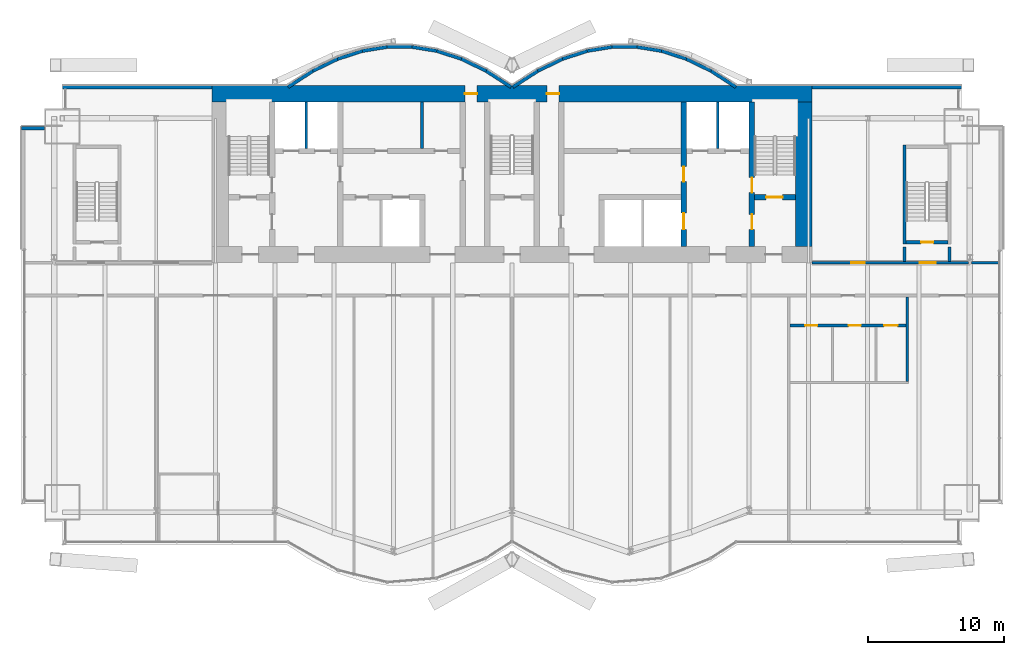
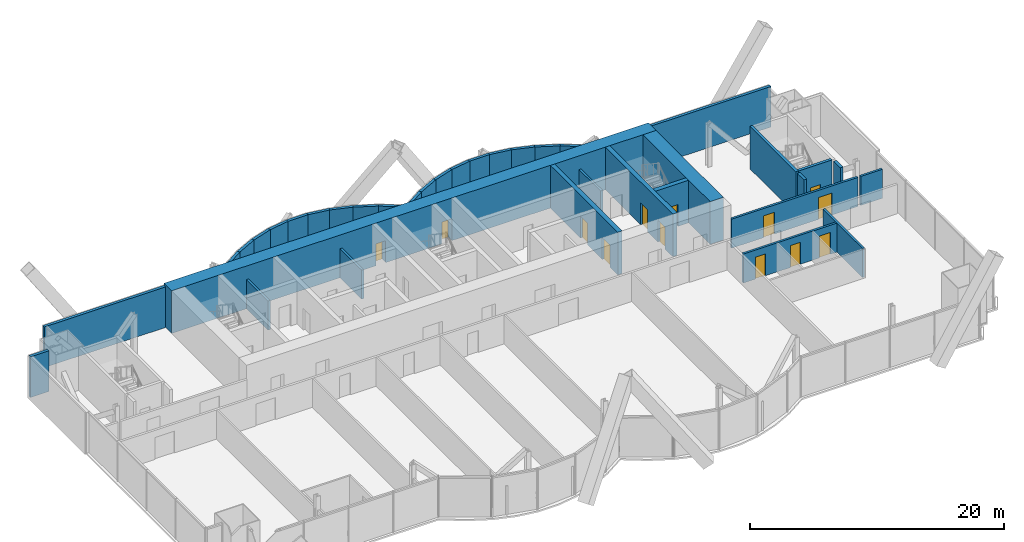
# One storey, part 17 of 21: 37 walls, 13 doors, 13 openings.
"""IFC4 building model written with IfcOpenShell, lengths in metres."""

from ifc_helpers import new_model, si_unit, direction, frame, frame_2d, origin, place, context, subcontext, project, spatial, rectangle, extrude, material, layer, layer_set, layer_usage, type_object, element, fill, save


model = new_model("IFC4")

# Units and contexts
model_context = context("Model", 3, precision=1e-05, world=origin(), true_north=direction((0.0, 1.0)))
body_context = subcontext(model_context, "Body", "Model", "MODEL_VIEW")
ifc_project = project(units=[si_unit("LENGTHUNIT", "METRE"), si_unit("AREAUNIT", "SQUARE_METRE"), si_unit("VOLUMEUNIT", "CUBIC_METRE"), si_unit("PLANEANGLEUNIT", "RADIAN"), si_unit("MASSUNIT", "GRAM", prefix="KILO")], contexts=[model_context])

# Site, building, storey
site_placement = place(None, origin())
site = spatial("IfcSite", under=ifc_project, at=site_placement, CompositionType="ELEMENT")
building_placement = place(site_placement, origin())
building = spatial("IfcBuilding", under=site, at=building_placement, Name="Bicima Exchange Tower", CompositionType="ELEMENT")
storey_placement = place(building_placement, frame((0.0, 0.0, 181.39990234375)))
storey = spatial("IfcBuildingStorey", under=building, at=storey_placement, Name="L40", CompositionType="ELEMENT", Elevation=181.39990234375)

# Walls
ifc_material_1 = material(Name="Gypsum board partition")
ifc_layer_1 = layer(ifc_material_1, 0.199951171875)
ifc_layer_set_1 = layer_set([ifc_layer_1], Name="Gypsum board partition")
wall_type_1 = type_object("IfcWallType", Name="Fire-rated gypsum partition 200 EI120", PredefinedType="PARTITIONING", material=ifc_layer_set_1)
for number, where, z_axis, x_axis, name in (
    (1, (-15.10009765625, -4.60009765625, 0.0), (0.0, 0.0, 1.0), (0.0, 1.0, 0.0), "partition wall 9"),
    (2, (15.10009765625, -4.60009765625, 0.0), (0.0, 0.0, 1.0), (0.0, 1.0, 0.0), "partition wall 21"),
):
    element("IfcWall", number, at=place(storey_placement, frame(where, z_axis=z_axis, x_axis=x_axis)), inside=storey, type_object=wall_type_1, Name=name, PredefinedType="PARTITIONING", context=body_context, shape_type="SweptSolid", body=[
        extrude(rectangle(XDim=3.400146484375, YDim=0.199951171875, at=frame_2d((1.7001953125, 0.0))), origin(), (0.0, 0.0, 1.0), 2.790283203125),
    ])

# Wall, openings, doors
ifc_layer_2 = layer(ifc_material_1, 0.199951171875)
ifc_layer_set_2 = layer_set([ifc_layer_2], Name="Gypsum board partition")
wall_type_2 = type_object("IfcWallType", Name="Fire-rated gypsum partition 200 EI60", PredefinedType="PARTITIONING", material=ifc_layer_set_2)
wall_1_placement = place(storey_placement, frame((20.39990234375, -17.60009765625, 0.0), z_axis=(0.0, 0.0, 1.0), x_axis=(1.0, 0.0, 0.0)))
wall_1 = element("IfcWall", 3, at=wall_1_placement, inside=storey, type_object=wall_type_2, Name="partition wall 3", PredefinedType="PARTITIONING", context=body_context, shape_type="SweptSolid", body=[
    extrude(rectangle(XDim=8.5, YDim=0.199951171875, at=frame_2d((4.25, 0.0))), origin(), (0.0, 0.0, 1.0), 2.790283203125),
])
opening_1_placement = place(wall_1_placement, frame((1.10009765625, 0.0, 0.0)))
opening_1 = element("IfcOpeningElement", 4, at=opening_1_placement, cuts=wall_1, Name="Opening L40-015", PredefinedType="OPENING", context=body_context, shape_type="SweptSolid", body=[
    extrude(rectangle(XDim=0.89990234375, YDim=2.10009765625, at=frame_2d((0.449951171875, 1.050048828125))), frame((0.0, 0.11181640625, 0.0), z_axis=(0.0, -1.0, 0.0), x_axis=(1.0, 0.0, 0.0)), (0.0, 0.0, 1.0), 0.223876953125),
])
opening_2_placement = place(wall_1_placement, frame((4.300048828125, 0.0, 0.0)))
opening_2 = element("IfcOpeningElement", 5, at=opening_2_placement, cuts=wall_1, Name="Opening L40-016", PredefinedType="OPENING", context=body_context, shape_type="SweptSolid", body=[
    extrude(rectangle(XDim=0.89990234375, YDim=2.10009765625, at=frame_2d((0.449951171875, 1.050048828125))), frame((0.0, 0.11181640625, 0.0), z_axis=(0.0, -1.0, 0.0), x_axis=(1.0, 0.0, 0.0)), (0.0, 0.0, 1.0), 0.223876953125),
])
opening_3_placement = place(wall_1_placement, frame((6.89990234375, 0.0, 0.0)))
opening_3 = element("IfcOpeningElement", 6, at=opening_3_placement, cuts=wall_1, Name="Opening L40-017", PredefinedType="OPENING", context=body_context, shape_type="SweptSolid", body=[
    extrude(rectangle(XDim=1.0, YDim=2.10009765625, at=frame_2d((0.5, 1.050048828125))), frame((0.0, 0.11181640625, 0.0), z_axis=(0.0, -1.0, 0.0), x_axis=(1.0, 0.0, 0.0)), (0.0, 0.0, 1.0), 0.223876953125),
])
ifc_material_2 = material(Name="Steel fire door leaf", Category="steel")
door_type_1 = type_object("IfcDoorType", Name="Door 1000 swing FD30S", OperationType="SINGLE_SWING_LEFT", PredefinedType="DOOR", material=ifc_material_2)
door_1_placement = place(opening_3_placement, frame((1.0, 0.0, 0.0), z_axis=(0.0, 0.0, 1.0), x_axis=(-1.0, 0.0, 0.0)))
door_1 = element("IfcDoor", 7, at=door_1_placement, inside=storey, type_object=door_type_1, Name="Door", OperationType="SINGLE_SWING_RIGHT", OverallHeight=2.10009765625, OverallWidth=1.0, PredefinedType="DOOR", context=body_context, shape_type="SweptSolid", body=[
    extrude(rectangle(XDim=1.0, YDim=2.10009765625, at=frame_2d((0.5, 1.050048828125))), frame((0.0, 0.02490234375, 0.0), z_axis=(0.0, -1.0, 0.0), x_axis=(1.0, 0.0, 0.0)), (0.0, 0.0, 1.0), 0.050048828125),
])
fill(opening_3, door_1)
door_type_2 = type_object("IfcDoorType", Name="Door 900 swing FD30S", OperationType="SINGLE_SWING_LEFT", PredefinedType="DOOR", material=ifc_material_2)
door_2_placement = place(opening_1_placement, frame((0.89990234375, 0.0, 0.0), z_axis=(0.0, 0.0, 1.0), x_axis=(-1.0, 0.0, 0.0)))
door_2 = element("IfcDoor", 8, at=door_2_placement, inside=storey, type_object=door_type_2, Name="Door", OperationType="SINGLE_SWING_RIGHT", OverallHeight=2.10009765625, OverallWidth=0.89990234375, PredefinedType="DOOR", context=body_context, shape_type="SweptSolid", body=[
    extrude(rectangle(XDim=0.89990234375, YDim=2.10009765625, at=frame_2d((0.449951171875, 1.050048828125))), frame((0.0, 0.02490234375, 0.0), z_axis=(0.0, -1.0, 0.0), x_axis=(1.0, 0.0, 0.0)), (0.0, 0.0, 1.0), 0.050048828125),
])
fill(opening_1, door_2)
door_3_placement = place(opening_2_placement, frame((0.89990234375, 0.0, 0.0), z_axis=(0.0, 0.0, 1.0), x_axis=(-1.0, 0.0, 0.0)))
door_3 = element("IfcDoor", 9, at=door_3_placement, inside=storey, type_object=door_type_2, Name="Door", OperationType="SINGLE_SWING_LEFT", OverallHeight=2.10009765625, OverallWidth=0.89990234375, PredefinedType="DOOR", context=body_context, shape_type="SweptSolid", body=[
    extrude(rectangle(XDim=0.89990234375, YDim=2.10009765625, at=frame_2d((0.449951171875, 1.050048828125))), frame((0.0, 0.02490234375, 0.0), z_axis=(0.0, -1.0, 0.0), x_axis=(1.0, 0.0, 0.0)), (0.0, 0.0, 1.0), 0.050048828125),
])
fill(opening_2, door_3)

wall_2_placement = place(storey_placement, frame((22.0, -13.0, 0.0), z_axis=(0.0, 0.0, 1.0), x_axis=(1.0, 0.0, 0.0)))
wall_2 = element("IfcWall", 10, at=wall_2_placement, inside=storey, type_object=wall_type_2, Name="partition wall 7", PredefinedType="PARTITIONING", context=body_context, shape_type="SweptSolid", body=[
    extrude(rectangle(XDim=11.47998046875, YDim=0.199951171875, at=frame_2d((5.739990234375, 0.0))), origin(), (0.0, 0.0, 1.0), 2.790283203125),
])
opening_4_placement = place(wall_2_placement, frame((7.89990234375, 0.0, 0.0)))
opening_4 = element("IfcOpeningElement", 11, at=opening_4_placement, cuts=wall_2, Name="Opening L40-003", PredefinedType="OPENING", context=body_context, shape_type="SweptSolid", body=[
    extrude(rectangle(XDim=1.199951171875, YDim=2.10009765625, at=frame_2d((0.60009765625, 1.050048828125))), frame((0.0, 0.11181640625, 0.0), z_axis=(0.0, -1.0, 0.0), x_axis=(1.0, 0.0, 0.0)), (0.0, 0.0, 1.0), 0.223876953125),
])
opening_5_placement = place(wall_2_placement, frame((2.89990234375, 0.0, 0.0)))
opening_5 = element("IfcOpeningElement", 12, at=opening_5_placement, cuts=wall_2, Name="Opening L40-006", PredefinedType="OPENING", context=body_context, shape_type="SweptSolid", body=[
    extrude(rectangle(XDim=1.0, YDim=2.10009765625, at=frame_2d((0.5, 1.050048828125))), frame((0.0, 0.11181640625, 0.0), z_axis=(0.0, -1.0, 0.0), x_axis=(1.0, 0.0, 0.0)), (0.0, 0.0, 1.0), 0.223876953125),
])
door_4_placement = place(opening_5_placement, origin())
door_4 = element("IfcDoor", 13, at=door_4_placement, inside=storey, type_object=door_type_1, Name="Door", OperationType="SINGLE_SWING_RIGHT", OverallHeight=2.10009765625, OverallWidth=1.0, PredefinedType="DOOR", context=body_context, shape_type="SweptSolid", body=[
    extrude(rectangle(XDim=1.0, YDim=2.10009765625, at=frame_2d((0.5, 1.050048828125))), frame((0.0, 0.02490234375, 0.0), z_axis=(0.0, -1.0, 0.0), x_axis=(1.0, 0.0, 0.0)), (0.0, 0.0, 1.0), 0.050048828125),
])
fill(opening_5, door_4)
door_type_3 = type_object("IfcDoorType", Name="Door 1200 swing FD30S", OperationType="SINGLE_SWING_LEFT", PredefinedType="DOOR", material=ifc_material_2)
door_5_placement = place(opening_4_placement, origin())
door_5 = element("IfcDoor", 14, at=door_5_placement, inside=storey, type_object=door_type_3, Name="Door", OperationType="SINGLE_SWING_RIGHT", OverallHeight=2.10009765625, OverallWidth=1.199951171875, PredefinedType="DOOR", context=body_context, shape_type="SweptSolid", body=[
    extrude(rectangle(XDim=1.199951171875, YDim=2.10009765625, at=frame_2d((0.60009765625, 1.050048828125))), frame((0.0, 0.02490234375, 0.0), z_axis=(0.0, -1.0, 0.0), x_axis=(1.0, 0.0, 0.0)), (0.0, 0.0, 1.0), 0.050048828125),
])
fill(opening_4, door_5)

# Walls
wall_3_placement = place(storey_placement, frame((33.719970703125, -13.0, 0.0), z_axis=(0.0, 0.0, 1.0), x_axis=(1.0, 0.0, 0.0)))
element("IfcWall", 15, at=wall_3_placement, inside=storey, type_object=wall_type_2, Name="partition wall 8", PredefinedType="PARTITIONING", context=body_context, shape_type="SweptSolid", body=[
    extrude(rectangle(XDim=1.9599609375, YDim=0.199951171875, at=frame_2d((0.97998046875, 0.0))), origin(), (0.0, 0.0, 1.0), 2.790283203125),
])
wall_4_placement = place(storey_placement, frame((29.0, -21.72509765625, 0.0), z_axis=(0.0, 0.0, 1.0), x_axis=(0.0, 1.0, 0.0)))
element("IfcWall", 16, at=wall_4_placement, inside=storey, type_object=wall_type_2, Name="partition wall 30", PredefinedType="PARTITIONING", context=body_context, shape_type="SweptSolid", body=[
    extrude(rectangle(XDim=6.22509765625, YDim=0.199951171875, at=frame_2d((3.112548828125, 0.0))), origin(), (0.0, 0.0, 1.0), 2.790283203125),
])
wall_5_placement = place(storey_placement, frame((-6.60009765625, -4.60009765625, 0.0), z_axis=(0.0, 0.0, 1.0), x_axis=(0.0, 1.0, 0.0)))
element("IfcWall", 17, at=wall_5_placement, inside=storey, type_object=wall_type_2, Name="partition wall 13", PredefinedType="PARTITIONING", context=body_context, shape_type="SweptSolid", body=[
    extrude(rectangle(XDim=3.400146484375, YDim=0.199951171875, at=frame_2d((1.7001953125, 0.0))), origin(), (0.0, 0.0, 1.0), 2.790283203125),
])

# Wall, openings, doors
ifc_material_3 = material(Name="Concrete C50/60", Category="concrete")
ifc_layer_3 = layer(ifc_material_3, 1.199951171875)
ifc_layer_set_3 = layer_set([ifc_layer_3], Name="Concrete C50/60")
wall_type_3 = type_object("IfcWallType", Name="RC core wall 1200 C50/60", PredefinedType="SHEAR", material=ifc_layer_set_3)
wall_6_placement = place(storey_placement, frame((-22.0, -0.60009765625, 0.0), z_axis=(0.0, 0.0, 1.0), x_axis=(1.0, 0.0, 0.0)))
wall_6 = element("IfcWall", 18, at=wall_6_placement, inside=storey, type_object=wall_type_3, Name="Core wall north", PredefinedType="SHEAR", context=body_context, shape_type="SweptSolid", body=[
    extrude(rectangle(XDim=44.0, YDim=1.199951171875, at=frame_2d((22.0, 0.0))), origin(), (0.0, 0.0, 1.0), 4.10009765625),
])
opening_6_placement = place(wall_6_placement, frame((18.550048828125, 0.0, 0.0)))
opening_6 = element("IfcOpeningElement", 19, at=opening_6_placement, cuts=wall_6, Name="Opening L40-C16", PredefinedType="OPENING", context=body_context, shape_type="SweptSolid", body=[
    extrude(rectangle(XDim=0.89990234375, YDim=2.10009765625, at=frame_2d((0.449951171875, 1.050048828125))), frame((0.0, 0.61181640625, 0.0), z_axis=(0.0, -1.0, 0.0), x_axis=(1.0, 0.0, 0.0)), (0.0, 0.0, 1.0), 1.223876953125),
])
opening_7_placement = place(wall_6_placement, frame((24.550048828125, 0.0, 0.0)))
opening_7 = element("IfcOpeningElement", 20, at=opening_7_placement, cuts=wall_6, Name="Opening L40-C17", PredefinedType="OPENING", context=body_context, shape_type="SweptSolid", body=[
    extrude(rectangle(XDim=0.89990234375, YDim=2.10009765625, at=frame_2d((0.449951171875, 1.050048828125))), frame((0.0, 0.61181640625, 0.0), z_axis=(0.0, -1.0, 0.0), x_axis=(1.0, 0.0, 0.0)), (0.0, 0.0, 1.0), 1.223876953125),
])
door_6_placement = place(opening_6_placement, origin())
door_6 = element("IfcDoor", 21, at=door_6_placement, inside=storey, type_object=door_type_2, Name="Core door", OperationType="SINGLE_SWING_LEFT", OverallHeight=2.10009765625, OverallWidth=0.89990234375, PredefinedType="DOOR", context=body_context, shape_type="SweptSolid", body=[
    extrude(rectangle(XDim=0.89990234375, YDim=2.10009765625, at=frame_2d((0.449951171875, 1.050048828125))), frame((0.0, 0.02490234375, 0.0), z_axis=(0.0, -1.0, 0.0), x_axis=(1.0, 0.0, 0.0)), (0.0, 0.0, 1.0), 0.050048828125),
])
fill(opening_6, door_6)
door_7_placement = place(opening_7_placement, origin())
door_7 = element("IfcDoor", 22, at=door_7_placement, inside=storey, type_object=door_type_2, Name="Core door", OperationType="SINGLE_SWING_LEFT", OverallHeight=2.10009765625, OverallWidth=0.89990234375, PredefinedType="DOOR", context=body_context, shape_type="SweptSolid", body=[
    extrude(rectangle(XDim=0.89990234375, YDim=2.10009765625, at=frame_2d((0.449951171875, 1.050048828125))), frame((0.0, 0.02490234375, 0.0), z_axis=(0.0, -1.0, 0.0), x_axis=(1.0, 0.0, 0.0)), (0.0, 0.0, 1.0), 0.050048828125),
])
fill(opening_7, door_7)

# Walls
wall_7_placement = place(storey_placement, frame((21.39990234375, -11.800048828125, 0.0), z_axis=(0.0, 0.0, 1.0), x_axis=(0.0, 1.0, 0.0)))
element("IfcWall", 23, at=wall_7_placement, inside=storey, type_object=wall_type_3, Name="Core wall east", PredefinedType="SHEAR", context=body_context, shape_type="SweptSolid", body=[
    extrude(rectangle(XDim=10.60009765625, YDim=1.199951171875, at=frame_2d((5.300048828125, 0.0))), origin(), (0.0, 0.0, 1.0), 4.10009765625),
])
ifc_layer_4 = layer(ifc_material_3, 0.25)
ifc_layer_set_4 = layer_set([ifc_layer_4], Name="Concrete C50/60")
wall_type_4 = type_object("IfcWallType", Name="RC core wall 250 C50/60", PredefinedType="SHEAR", material=ifc_layer_set_4)
for number, where, z_axis, x_axis, name in (
    (24, (28.800048828125, -12.89990234375, 0.0), (0.0, 0.0, 1.0), (0.0, 1.0, 0.0), "stair wall 29"),
    (25, (32.10009765625, -12.89990234375, 0.0), (0.0, 0.0, 1.0), (0.0, 1.0, 0.0), "stair wall 31"),
):
    element("IfcWall", number, at=place(storey_placement, frame(where, z_axis=z_axis, x_axis=x_axis)), inside=storey, type_object=wall_type_4, Name=name, PredefinedType="SHEAR", context=body_context, shape_type="SweptSolid", body=[
        extrude(rectangle(XDim=1.0498046875, YDim=0.25, at=frame_2d((0.52490234375, 0.0))), origin(), (0.0, 0.0, 1.0), 4.10009765625),
    ])

# Wall, opening, door
ifc_layer_5 = layer(ifc_material_3, 0.39990234375)
ifc_layer_set_5 = layer_set([ifc_layer_5], Name="Concrete C50/60")
wall_type_5 = type_object("IfcWallType", Name="RC core wall 400 C50/60", PredefinedType="SHEAR", material=ifc_layer_set_5)
wall_8_placement = place(storey_placement, frame((17.800048828125, -8.199951171875, 0.0), z_axis=(0.0, 0.0, 1.0), x_axis=(1.0, 0.0, 0.0)))
wall_8 = element("IfcWall", 26, at=wall_8_placement, inside=storey, type_object=wall_type_5, Name="stair wall 5", PredefinedType="SHEAR", context=body_context, shape_type="SweptSolid", body=[
    extrude(rectangle(XDim=3.0, YDim=0.39990234375, at=frame_2d((1.5, 0.0))), origin(), (0.0, 0.0, 1.0), 4.10009765625),
])
opening_8_placement = place(wall_8_placement, frame((0.85009765625, 0.0, 0.0)))
opening_8 = element("IfcOpeningElement", 27, at=opening_8_placement, cuts=wall_8, Name="Opening L40-C04", PredefinedType="OPENING", context=body_context, shape_type="SweptSolid", body=[
    extrude(rectangle(XDim=1.199951171875, YDim=2.10009765625, at=frame_2d((0.60009765625, 1.050048828125))), frame((0.0, 0.2119140625, 0.0), z_axis=(0.0, -1.0, 0.0), x_axis=(1.0, 0.0, 0.0)), (0.0, 0.0, 1.0), 0.423828125),
])
door_type_4 = type_object("IfcDoorType", Name="Door 1200 swing FD60S", OperationType="SINGLE_SWING_LEFT", PredefinedType="DOOR", material=ifc_material_2)
door_8_placement = place(opening_8_placement, origin())
door_8 = element("IfcDoor", 28, at=door_8_placement, inside=storey, type_object=door_type_4, Name="Core door", OperationType="SINGLE_SWING_RIGHT", OverallHeight=2.10009765625, OverallWidth=1.199951171875, PredefinedType="DOOR", context=body_context, shape_type="SweptSolid", body=[
    extrude(rectangle(XDim=1.199951171875, YDim=2.10009765625, at=frame_2d((0.60009765625, 1.050048828125))), frame((0.0, 0.02490234375, 0.0), z_axis=(0.0, -1.0, 0.0), x_axis=(1.0, 0.0, 0.0)), (0.0, 0.0, 1.0), 0.050048828125),
])
fill(opening_8, door_8)

# Wall, openings, doors
wall_9_placement = place(storey_placement, frame((12.60009765625, -11.800048828125, 0.0), z_axis=(0.0, 0.0, 1.0), x_axis=(0.0, 1.0, 0.0)))
wall_9 = element("IfcWall", 29, at=wall_9_placement, inside=storey, type_object=wall_type_5, Name="shear wall 20", PredefinedType="SHEAR", context=body_context, shape_type="SweptSolid", body=[
    extrude(rectangle(XDim=10.60009765625, YDim=0.39990234375, at=frame_2d((5.300048828125, 0.0))), origin(), (0.0, 0.0, 1.0), 4.10009765625),
])
opening_9_placement = place(wall_9_placement, frame((1.25, 0.0, 0.0)))
opening_9 = element("IfcOpeningElement", 30, at=opening_9_placement, cuts=wall_9, Name="Opening LD-MB2-L40", PredefinedType="OPENING", context=body_context, shape_type="SweptSolid", body=[
    extrude(rectangle(XDim=1.199951171875, YDim=2.10009765625, at=frame_2d((0.60009765625, 1.050048828125))), frame((0.0, 0.2119140625, 0.0), z_axis=(0.0, -1.0, 0.0), x_axis=(1.0, 0.0, 0.0)), (0.0, 0.0, 1.0), 0.423828125),
])
opening_10_placement = place(wall_9_placement, frame((4.75, 0.0, 0.0)))
opening_10 = element("IfcOpeningElement", 31, at=opening_10_placement, cuts=wall_9, Name="Opening L40-C09", PredefinedType="OPENING", context=body_context, shape_type="SweptSolid", body=[
    extrude(rectangle(XDim=1.10009765625, YDim=2.10009765625, at=frame_2d((0.550048828125, 1.050048828125))), frame((0.0, 0.2119140625, 0.0), z_axis=(0.0, -1.0, 0.0), x_axis=(1.0, 0.0, 0.0)), (0.0, 0.0, 1.0), 0.423828125),
])
door_type_5 = type_object("IfcDoorType", Name="Door 1100 swing FD60S", OperationType="SINGLE_SWING_LEFT", PredefinedType="DOOR", material=ifc_material_2)
door_9_placement = place(opening_10_placement, frame((1.10009765625, 0.0, 0.0), z_axis=(0.0, 0.0, 1.0), x_axis=(-1.0, 0.0, 0.0)))
door_9 = element("IfcDoor", 32, at=door_9_placement, inside=storey, type_object=door_type_5, Name="Core door", OperationType="SINGLE_SWING_RIGHT", OverallHeight=2.10009765625, OverallWidth=1.10009765625, PredefinedType="DOOR", context=body_context, shape_type="SweptSolid", body=[
    extrude(rectangle(XDim=1.10009765625, YDim=2.10009765625, at=frame_2d((0.550048828125, 1.050048828125))), frame((0.0, 0.02490234375, 0.0), z_axis=(0.0, -1.0, 0.0), x_axis=(1.0, 0.0, 0.0)), (0.0, 0.0, 1.0), 0.050048828125),
])
fill(opening_10, door_9)
ifc_material_4 = material(Name="Stainless steel", Category="steel")
door_type_6 = type_object("IfcDoorType", Name="Lift landing door 1200 sliding", OperationType="DOUBLE_DOOR_SLIDING", PredefinedType="DOOR", material=ifc_material_4)
door_10_placement = place(opening_9_placement, origin())
door_10 = element("IfcDoor", 33, at=door_10_placement, inside=storey, type_object=door_type_6, Name="Lift landing door MB2", OperationType="DOUBLE_DOOR_SLIDING", OverallHeight=2.10009765625, OverallWidth=1.199951171875, PredefinedType="DOOR", context=body_context, shape_type="SweptSolid", body=[
    extrude(rectangle(XDim=1.199951171875, YDim=2.10009765625, at=frame_2d((0.60009765625, 1.050048828125))), frame((0.0, 0.02490234375, 0.0), z_axis=(0.0, -1.0, 0.0), x_axis=(1.0, 0.0, 0.0)), (0.0, 0.0, 1.0), 0.050048828125),
])
fill(opening_9, door_10)

wall_10_placement = place(storey_placement, frame((17.60009765625, -11.800048828125, 0.0), z_axis=(0.0, 0.0, 1.0), x_axis=(0.0, 1.0, 0.0)))
wall_10 = element("IfcWall", 34, at=wall_10_placement, inside=storey, type_object=wall_type_5, Name="stair wall 22", PredefinedType="SHEAR", context=body_context, shape_type="SweptSolid", body=[
    extrude(rectangle(XDim=10.60009765625, YDim=0.39990234375, at=frame_2d((5.300048828125, 0.0))), origin(), (0.0, 0.0, 1.0), 4.10009765625),
])
opening_11_placement = place(wall_10_placement, frame((1.25, 0.0, 0.0)))
opening_11 = element("IfcOpeningElement", 35, at=opening_11_placement, cuts=wall_10, Name="Opening L40-C05", PredefinedType="OPENING", context=body_context, shape_type="SweptSolid", body=[
    extrude(rectangle(XDim=1.10009765625, YDim=2.10009765625, at=frame_2d((0.550048828125, 1.050048828125))), frame((0.0, 0.2119140625, 0.0), z_axis=(0.0, -1.0, 0.0), x_axis=(1.0, 0.0, 0.0)), (0.0, 0.0, 1.0), 0.423828125),
])
opening_12_placement = place(wall_10_placement, frame((3.949951171875, 0.0, 0.0)))
opening_12 = element("IfcOpeningElement", 36, at=opening_12_placement, cuts=wall_10, Name="Opening L40-C08", PredefinedType="OPENING", context=body_context, shape_type="SweptSolid", body=[
    extrude(rectangle(XDim=1.10009765625, YDim=2.10009765625, at=frame_2d((0.550048828125, 1.050048828125))), frame((0.0, 0.2119140625, 0.0), z_axis=(0.0, -1.0, 0.0), x_axis=(1.0, 0.0, 0.0)), (0.0, 0.0, 1.0), 0.423828125),
])
door_11_placement = place(opening_11_placement, origin())
door_11 = element("IfcDoor", 37, at=door_11_placement, inside=storey, type_object=door_type_5, Name="Core door", OperationType="SINGLE_SWING_LEFT", OverallHeight=2.10009765625, OverallWidth=1.10009765625, PredefinedType="DOOR", context=body_context, shape_type="SweptSolid", body=[
    extrude(rectangle(XDim=1.10009765625, YDim=2.10009765625, at=frame_2d((0.550048828125, 1.050048828125))), frame((0.0, 0.02490234375, 0.0), z_axis=(0.0, -1.0, 0.0), x_axis=(1.0, 0.0, 0.0)), (0.0, 0.0, 1.0), 0.050048828125),
])
fill(opening_11, door_11)
door_12_placement = place(opening_12_placement, origin())
door_12 = element("IfcDoor", 38, at=door_12_placement, inside=storey, type_object=door_type_5, Name="Core door", OperationType="SINGLE_SWING_RIGHT", OverallHeight=2.10009765625, OverallWidth=1.10009765625, PredefinedType="DOOR", context=body_context, shape_type="SweptSolid", body=[
    extrude(rectangle(XDim=1.10009765625, YDim=2.10009765625, at=frame_2d((0.550048828125, 1.050048828125))), frame((0.0, 0.02490234375, 0.0), z_axis=(0.0, -1.0, 0.0), x_axis=(1.0, 0.0, 0.0)), (0.0, 0.0, 1.0), 0.050048828125),
])
fill(opening_12, door_12)

# Wall
ifc_layer_6 = layer(ifc_material_3, 0.25)
ifc_layer_set_6 = layer_set([ifc_layer_6], Name="Concrete C50/60")
wall_type_6 = type_object("IfcWallType", Name="RC stair enclosure wall 250 C50/60", PredefinedType="SHEAR", material=ifc_layer_set_6)
wall_11_placement = place(storey_placement, frame((28.800048828125, -11.625, 0.0), z_axis=(0.0, 0.0, 1.0), x_axis=(0.0, 1.0, 0.0)))
element("IfcWall", 39, at=wall_11_placement, inside=storey, type_object=wall_type_6, Name="East end exit stair wall W", PredefinedType="SHEAR", context=body_context, shape_type="SweptSolid", body=[
    extrude(rectangle(XDim=7.25, YDim=0.25, at=frame_2d((3.625, 0.0))), origin(), (0.0, 0.0, 1.0), 4.10009765625),
])

# Wall, opening, door
wall_12_placement = place(storey_placement, frame((28.925048828125, -11.5, 0.0), z_axis=(0.0, 0.0, 1.0), x_axis=(1.0, 0.0, 0.0)))
wall_12 = element("IfcWall", 40, at=wall_12_placement, inside=storey, type_object=wall_type_6, Name="East end exit stair wall S", PredefinedType="SHEAR", context=body_context, shape_type="SweptSolid", body=[
    extrude(rectangle(XDim=3.050048828125, YDim=0.25, at=frame_2d((1.52490234375, 0.0))), origin(), (0.0, 0.0, 1.0), 4.10009765625),
])
opening_13_placement = place(wall_12_placement, frame((1.10009765625, 0.0, 0.0)))
opening_13 = element("IfcOpeningElement", 41, at=opening_13_placement, cuts=wall_12, Name="Opening L40-004", PredefinedType="OPENING", context=body_context, shape_type="SweptSolid", body=[
    extrude(rectangle(XDim=0.89990234375, YDim=2.10009765625, at=frame_2d((0.449951171875, 1.050048828125))), frame((0.0, 0.136962890625, 0.0), z_axis=(0.0, -1.0, 0.0), x_axis=(1.0, 0.0, 0.0)), (0.0, 0.0, 1.0), 0.27392578125),
])
door_type_7 = type_object("IfcDoorType", Name="Door 900 swing FD60S", OperationType="SINGLE_SWING_LEFT", PredefinedType="DOOR", material=ifc_material_2)
door_13_placement = place(opening_13_placement, origin())
door_13 = element("IfcDoor", 42, at=door_13_placement, inside=storey, type_object=door_type_7, Name="Door", OperationType="SINGLE_SWING_LEFT", OverallHeight=2.10009765625, OverallWidth=0.89990234375, PredefinedType="DOOR", context=body_context, shape_type="SweptSolid", body=[
    extrude(rectangle(XDim=0.89990234375, YDim=2.10009765625, at=frame_2d((0.449951171875, 1.050048828125))), frame((0.0, 0.02490234375, 0.0), z_axis=(0.0, -1.0, 0.0), x_axis=(1.0, 0.0, 0.0)), (0.0, 0.0, 1.0), 0.050048828125),
])
fill(opening_13, door_13)

# Walls
ifc_material_5 = material(Name="Concrete C40/50", Category="concrete")
ifc_layer_7 = layer(ifc_material_5, 0.25)
ifc_layer_set_7 = layer_set([ifc_layer_7], Name="Concrete C40/50")
ifc_layer_usage = layer_usage(ifc_layer_set_7, "AXIS2", "POSITIVE", -0.125)
wall_type_7 = type_object("IfcWallType", Name="Rear backup wall 250", PredefinedType="STANDARD", material=ifc_layer_set_7)
wall_13_placement = place(storey_placement, frame((33.0, -0.125, 0.0), z_axis=(0.0, 0.0, 1.0), x_axis=(-1.0, 0.0, 0.0)))
element("IfcWall", 43, at=wall_13_placement, inside=storey, type_object=wall_type_7, material=ifc_layer_usage, Name="Rear backup wall L40 1", PredefinedType="STANDARD", context=body_context, shape_type="SweptSolid", body=[
    extrude(rectangle(XDim=11.0, YDim=0.25, at=frame_2d((5.5, 0.0))), origin(), (0.0, 0.0, 1.0), 3.900146484375),
])
wall_14_placement = place(storey_placement, frame((16.43212890625, -0.10498046875, 0.0), z_axis=(0.0, 0.0, 1.0), x_axis=(-0.83981312244, 0.542875602121, 0.0)))
element("IfcWall", 44, at=wall_14_placement, inside=storey, type_object=wall_type_7, material=ifc_layer_usage, Name="Rear backup wall L40 2", PredefinedType="STANDARD", context=body_context, shape_type="SweptSolid", body=[
    extrude(rectangle(XDim=2.182861328125, YDim=0.25, at=frame_2d((1.09130859375, 0.0))), origin(), (0.0, 0.0, 1.0), 3.900146484375),
])
wall_15_placement = place(storey_placement, frame((14.6123046875, 1.07275390625, 0.0), z_axis=(0.0, 0.0, 1.0), x_axis=(-0.89982408427, 0.436252928206, 0.0)))
element("IfcWall", 45, at=wall_15_placement, inside=storey, type_object=wall_type_7, material=ifc_layer_usage, Name="Rear backup wall L40 3", PredefinedType="STANDARD", context=body_context, shape_type="SweptSolid", body=[
    extrude(rectangle(XDim=2.03759765625, YDim=0.25, at=frame_2d((1.018798828125, 0.0))), origin(), (0.0, 0.0, 1.0), 3.900146484375),
])
wall_16_placement = place(storey_placement, frame((12.794921875, 1.955078125, 0.0), z_axis=(0.0, 0.0, 1.0), x_axis=(-0.951495806175, 0.307661714928, 0.0)))
element("IfcWall", 46, at=wall_16_placement, inside=storey, type_object=wall_type_7, material=ifc_layer_usage, Name="Rear backup wall L40 4", PredefinedType="STANDARD", context=body_context, shape_type="SweptSolid", body=[
    extrude(rectangle(XDim=1.9267578125, YDim=0.25, at=frame_2d((0.96337890625, 0.0))), origin(), (0.0, 0.0, 1.0), 3.900146484375),
])
wall_17_placement = place(storey_placement, frame((10.97998046875, 2.543212890625, 0.0), z_axis=(0.0, 0.0, 1.0), x_axis=(-0.987181718931, 0.159600293885, 0.0)))
element("IfcWall", 47, at=wall_17_placement, inside=storey, type_object=wall_type_7, material=ifc_layer_usage, Name="Rear backup wall L40 5", PredefinedType="STANDARD", context=body_context, shape_type="SweptSolid", body=[
    extrude(rectangle(XDim=1.857177734375, YDim=0.25, at=frame_2d((0.9287109375, 0.0))), origin(), (0.0, 0.0, 1.0), 3.900146484375),
])
wall_18_placement = place(storey_placement, frame((9.166748046875, 2.837890625, 0.0), z_axis=(0.0, 0.0, 1.0), x_axis=(-1.0, 0.0, 0.0)))
element("IfcWall", 48, at=wall_18_placement, inside=storey, type_object=wall_type_7, material=ifc_layer_usage, Name="Rear backup wall L40 6", PredefinedType="STANDARD", context=body_context, shape_type="SweptSolid", body=[
    extrude(rectangle(XDim=1.83349609375, YDim=0.25, at=frame_2d((0.916748046875, 0.0))), origin(), (0.0, 0.0, 1.0), 3.900146484375),
])
wall_19_placement = place(storey_placement, frame((7.353271484375, 2.839599609375, 0.0), z_axis=(0.0, 0.0, 1.0), x_axis=(-0.987181718931, -0.159600293885, 0.0)))
element("IfcWall", 49, at=wall_19_placement, inside=storey, type_object=wall_type_7, material=ifc_layer_usage, Name="Rear backup wall L40 7", PredefinedType="STANDARD", context=body_context, shape_type="SweptSolid", body=[
    extrude(rectangle(XDim=1.857177734375, YDim=0.25, at=frame_2d((0.9287109375, 0.0))), origin(), (0.0, 0.0, 1.0), 3.900146484375),
])
wall_20_placement = place(storey_placement, frame((5.538330078125, 2.5478515625, 0.0), z_axis=(0.0, 0.0, 1.0), x_axis=(-0.951495806175, -0.307661714928, 0.0)))
element("IfcWall", 50, at=wall_20_placement, inside=storey, type_object=wall_type_7, material=ifc_layer_usage, Name="Rear backup wall L40 8", PredefinedType="STANDARD", context=body_context, shape_type="SweptSolid", body=[
    extrude(rectangle(XDim=1.9267578125, YDim=0.25, at=frame_2d((0.96337890625, 0.0))), origin(), (0.0, 0.0, 1.0), 3.900146484375),
])
wall_21_placement = place(storey_placement, frame((3.72119140625, 1.961669921875, 0.0), z_axis=(0.0, 0.0, 1.0), x_axis=(-0.89982408427, -0.436252928206, 0.0)))
element("IfcWall", 51, at=wall_21_placement, inside=storey, type_object=wall_type_7, material=ifc_layer_usage, Name="Rear backup wall L40 9", PredefinedType="STANDARD", context=body_context, shape_type="SweptSolid", body=[
    extrude(rectangle(XDim=2.03759765625, YDim=0.25, at=frame_2d((1.018798828125, 0.0))), origin(), (0.0, 0.0, 1.0), 3.900146484375),
])
for number, where, z_axis, x_axis, name in (
    (52, (1.901123046875, 1.080078125, 0.0), (0.0, 0.0, 1.0), (-0.83981312244, -0.542875602121, 0.0), "Rear backup wall L40 10"),
    (53, (-0.06787109375, -0.10498046875, 0.0), (0.0, 0.0, 1.0), (-0.83981312244, 0.542875602121, 0.0), "Rear backup wall L40 11"),
):
    element("IfcWall", number, at=place(storey_placement, frame(where, z_axis=z_axis, x_axis=x_axis)), inside=storey, type_object=wall_type_7, material=ifc_layer_usage, Name=name, PredefinedType="STANDARD", context=body_context, shape_type="SweptSolid", body=[
        extrude(rectangle(XDim=2.182861328125, YDim=0.25, at=frame_2d((1.09130859375, 0.0))), origin(), (0.0, 0.0, 1.0), 3.900146484375),
    ])
wall_22_placement = place(storey_placement, frame((-1.8876953125, 1.07275390625, 0.0), z_axis=(0.0, 0.0, 1.0), x_axis=(-0.89982408427, 0.436252928206, 0.0)))
element("IfcWall", 54, at=wall_22_placement, inside=storey, type_object=wall_type_7, material=ifc_layer_usage, Name="Rear backup wall L40 12", PredefinedType="STANDARD", context=body_context, shape_type="SweptSolid", body=[
    extrude(rectangle(XDim=2.03759765625, YDim=0.25, at=frame_2d((1.018798828125, 0.0))), origin(), (0.0, 0.0, 1.0), 3.900146484375),
])
wall_23_placement = place(storey_placement, frame((-3.705078125, 1.955078125, 0.0), z_axis=(0.0, 0.0, 1.0), x_axis=(-0.951495806175, 0.307661714928, 0.0)))
element("IfcWall", 55, at=wall_23_placement, inside=storey, type_object=wall_type_7, material=ifc_layer_usage, Name="Rear backup wall L40 13", PredefinedType="STANDARD", context=body_context, shape_type="SweptSolid", body=[
    extrude(rectangle(XDim=1.9267578125, YDim=0.25, at=frame_2d((0.96337890625, 0.0))), origin(), (0.0, 0.0, 1.0), 3.900146484375),
])
wall_24_placement = place(storey_placement, frame((-5.52001953125, 2.543212890625, 0.0), z_axis=(0.0, 0.0, 1.0), x_axis=(-0.987181718931, 0.159600293885, 0.0)))
element("IfcWall", 56, at=wall_24_placement, inside=storey, type_object=wall_type_7, material=ifc_layer_usage, Name="Rear backup wall L40 14", PredefinedType="STANDARD", context=body_context, shape_type="SweptSolid", body=[
    extrude(rectangle(XDim=1.857177734375, YDim=0.25, at=frame_2d((0.9287109375, 0.0))), origin(), (0.0, 0.0, 1.0), 3.900146484375),
])
wall_25_placement = place(storey_placement, frame((-7.333251953125, 2.837890625, 0.0), z_axis=(0.0, 0.0, 1.0), x_axis=(-1.0, 0.0, 0.0)))
element("IfcWall", 57, at=wall_25_placement, inside=storey, type_object=wall_type_7, material=ifc_layer_usage, Name="Rear backup wall L40 15", PredefinedType="STANDARD", context=body_context, shape_type="SweptSolid", body=[
    extrude(rectangle(XDim=1.83349609375, YDim=0.25, at=frame_2d((0.916748046875, 0.0))), origin(), (0.0, 0.0, 1.0), 3.900146484375),
])
wall_26_placement = place(storey_placement, frame((-9.146728515625, 2.839599609375, 0.0), z_axis=(0.0, 0.0, 1.0), x_axis=(-0.987181718931, -0.159600293885, 0.0)))
element("IfcWall", 58, at=wall_26_placement, inside=storey, type_object=wall_type_7, material=ifc_layer_usage, Name="Rear backup wall L40 16", PredefinedType="STANDARD", context=body_context, shape_type="SweptSolid", body=[
    extrude(rectangle(XDim=1.857177734375, YDim=0.25, at=frame_2d((0.9287109375, 0.0))), origin(), (0.0, 0.0, 1.0), 3.900146484375),
])
wall_27_placement = place(storey_placement, frame((-10.961669921875, 2.5478515625, 0.0), z_axis=(0.0, 0.0, 1.0), x_axis=(-0.951495806175, -0.307661714928, 0.0)))
element("IfcWall", 59, at=wall_27_placement, inside=storey, type_object=wall_type_7, material=ifc_layer_usage, Name="Rear backup wall L40 17", PredefinedType="STANDARD", context=body_context, shape_type="SweptSolid", body=[
    extrude(rectangle(XDim=1.9267578125, YDim=0.25, at=frame_2d((0.96337890625, 0.0))), origin(), (0.0, 0.0, 1.0), 3.900146484375),
])
wall_28_placement = place(storey_placement, frame((-12.77880859375, 1.961669921875, 0.0), z_axis=(0.0, 0.0, 1.0), x_axis=(-0.89982408427, -0.436252928206, 0.0)))
element("IfcWall", 60, at=wall_28_placement, inside=storey, type_object=wall_type_7, material=ifc_layer_usage, Name="Rear backup wall L40 18", PredefinedType="STANDARD", context=body_context, shape_type="SweptSolid", body=[
    extrude(rectangle(XDim=2.03759765625, YDim=0.25, at=frame_2d((1.018798828125, 0.0))), origin(), (0.0, 0.0, 1.0), 3.900146484375),
])
wall_29_placement = place(storey_placement, frame((-14.598876953125, 1.080078125, 0.0), z_axis=(0.0, 0.0, 1.0), x_axis=(-0.83981312244, -0.542875602121, 0.0)))
element("IfcWall", 61, at=wall_29_placement, inside=storey, type_object=wall_type_7, material=ifc_layer_usage, Name="Rear backup wall L40 19", PredefinedType="STANDARD", context=body_context, shape_type="SweptSolid", body=[
    extrude(rectangle(XDim=2.182861328125, YDim=0.25, at=frame_2d((1.09130859375, 0.0))), origin(), (0.0, 0.0, 1.0), 3.900146484375),
])
wall_30_placement = place(storey_placement, frame((-22.0, -0.125, 0.0), z_axis=(0.0, 0.0, 1.0), x_axis=(-1.0, 0.0, 0.0)))
element("IfcWall", 62, at=wall_30_placement, inside=storey, type_object=wall_type_7, material=ifc_layer_usage, Name="Rear backup wall L40 20", PredefinedType="STANDARD", context=body_context, shape_type="SweptSolid", body=[
    extrude(rectangle(XDim=11.0, YDim=0.25, at=frame_2d((5.5, 0.0))), origin(), (0.0, 0.0, 1.0), 3.900146484375),
])
wall_31_placement = place(storey_placement, frame((-34.300048828125, -3.125, 0.0), z_axis=(0.0, 0.0, 1.0), x_axis=(-1.0, 0.0, 0.0)))
element("IfcWall", 63, at=wall_31_placement, inside=storey, type_object=wall_type_7, material=ifc_layer_usage, Name="Rear backup wall L40 22", PredefinedType="STANDARD", context=body_context, shape_type="SweptSolid", body=[
    extrude(rectangle(XDim=1.699951171875, YDim=0.25, at=frame_2d((0.85009765625, 0.0))), origin(), (0.0, 0.0, 1.0), 3.900146484375),
])

save(model, "model.ifc")
